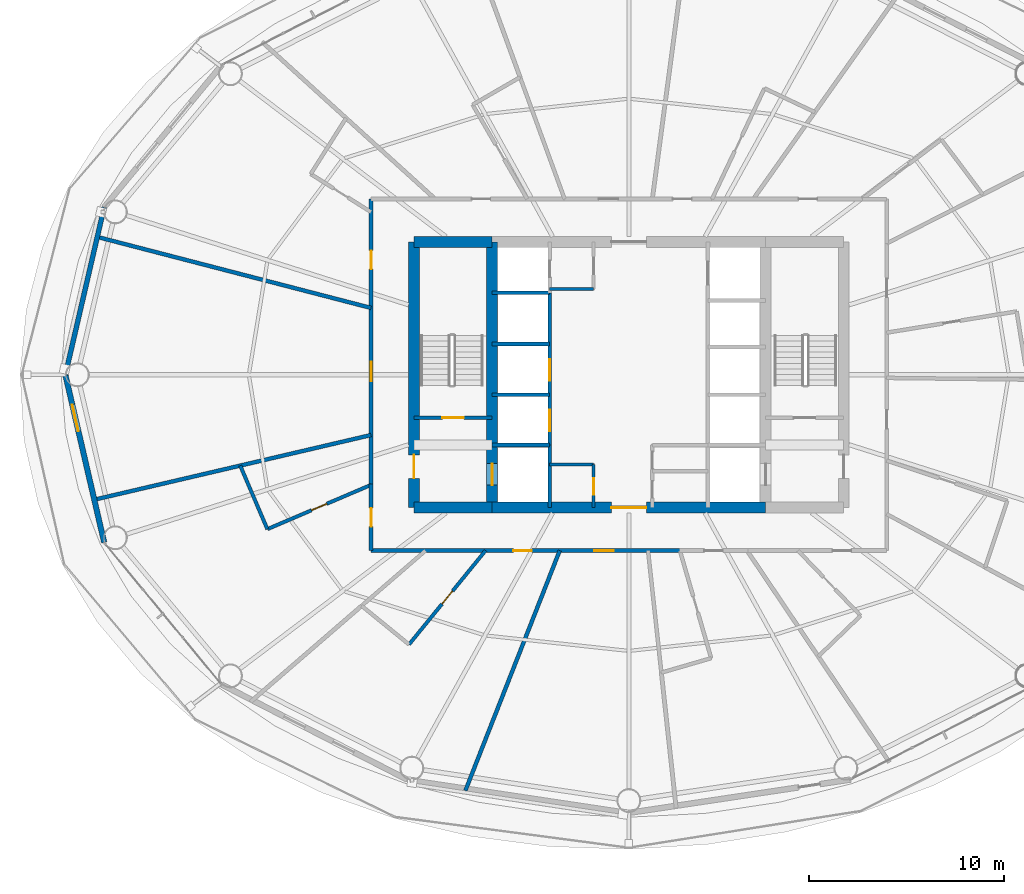
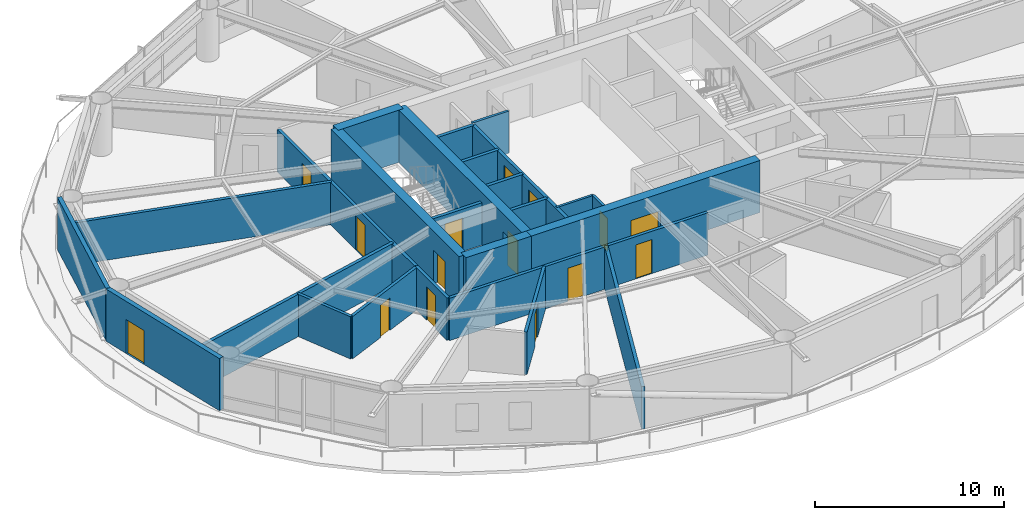
# One storey, part 18 of 24: 26 walls, 15 doors, 15 openings.
"""IFC4 building model written with IfcOpenShell, lengths in metres."""

import ifcopenshell
import ifcopenshell.guid

model = None  # the IFC model being written
_history = None  # IfcOwnerHistory: only IFC2X3 demands one
_inside = {}  # id of a spatial element -> (the spatial element, [elements in it])
_under = {}  # id of a project, library or spatial element -> (it, [spatial elements below it])
_declared = {}  # id of a project -> (the project, [libraries it declares])
_typed = {}  # id of a type object -> (the type object, [elements of that type])
_made_of = {}  # id of a material, layer set ... -> (it, [elements and type objects made of it])


def new_model(schema):
    """Start an empty IFC model of exactly this schema.

    Asked for "IFC4X3", IfcOpenShell would pick the latest addendum, in which some entities
    have other attributes; the version numbers below select the first issue.
    IFC2X3 requires an IfcOwnerHistory on every rooted entity: one is made here for all.
    """
    global model, _history
    if schema == "IFC4X3":
        model = ifcopenshell.file(schema_version=(4, 3, 0, 0))
    else:
        model = ifcopenshell.file(schema=schema)
    _inside.clear()
    _under.clear()
    _declared.clear()
    _typed.clear()
    _made_of.clear()
    _history = None
    if model.schema == "IFC2X3":
        org = make("IfcOrganization", Name="unknown")
        user = make(
            "IfcPersonAndOrganization",
            ThePerson=make("IfcPerson", FamilyName="unknown"),
            TheOrganization=org,
        )
        app = make(
            "IfcApplication",
            ApplicationDeveloper=org,
            Version="unknown",
            ApplicationFullName="unknown",
            ApplicationIdentifier="unknown",
        )
        _history = make(
            "IfcOwnerHistory",
            OwningUser=user,
            OwningApplication=app,
            ChangeAction="ADDED",
            CreationDate=0,
        )
    return model


def make(cls, **values):
    """One entity of the class cls with the attributes given. An attribute that is None is left unset."""
    return model.create_entity(
        cls, **{name: value for name, value in values.items() if value is not None}
    )


def rooted(cls, **values):
    """An entity with a GlobalId (a new one), such as an element, a storey or a relation."""
    return make(cls, GlobalId=ifcopenshell.guid.new(), OwnerHistory=_history, **values)


def si_unit(unit_type, name, prefix=None):
    """IfcSIUnit, for example si_unit("LENGTHUNIT", "METRE", prefix="MILLI")."""
    return make("IfcSIUnit", UnitType=unit_type, Prefix=prefix, Name=name)


def assignment(units):
    """IfcUnitAssignment: the units of a project."""
    return None if units is None else make("IfcUnitAssignment", Units=units)


def point(xyz):
    """IfcCartesianPoint."""
    return None if xyz is None else make("IfcCartesianPoint", Coordinates=xyz)


def direction(xyz):
    """IfcDirection."""
    return None if xyz is None else make("IfcDirection", DirectionRatios=xyz)


def frame(location, z_axis=None, x_axis=None):
    """IfcAxis2Placement3D, a coordinate frame: its origin and axes. An axis left out is left unset."""
    return make(
        "IfcAxis2Placement3D",
        Location=point(location),
        Axis=direction(z_axis),
        RefDirection=direction(x_axis),
    )


def frame_2d(location, x_axis=None):
    """IfcAxis2Placement2D, a coordinate frame in the plane: its origin and x axis."""
    return make(
        "IfcAxis2Placement2D", Location=point(location), RefDirection=direction(x_axis)
    )


def origin():
    """The frame at (0, 0, 0) with its axes left unset."""
    return frame((0.0, 0.0, 0.0))


def place(relative_to, where):
    """IfcLocalPlacement: puts the frame where relative to a parent placement (None: the world)."""
    return make(
        "IfcLocalPlacement", PlacementRelTo=relative_to, RelativePlacement=where
    )


def context(
    kind, dimensions, precision=None, world=None, true_north=None, identifier=None
):
    """IfcGeometricRepresentationContext, for example the 3D "Model" context."""
    return make(
        "IfcGeometricRepresentationContext",
        ContextIdentifier=identifier,
        ContextType=kind,
        CoordinateSpaceDimension=dimensions,
        Precision=precision,
        WorldCoordinateSystem=world,
        TrueNorth=true_north,
    )


def subcontext(parent, identifier, kind, view, scale=None):
    """IfcGeometricRepresentationSubContext, for example "Body" below "Model"."""
    return make(
        "IfcGeometricRepresentationSubContext",
        ContextIdentifier=identifier,
        ContextType=kind,
        ParentContext=parent,
        TargetScale=scale,
        TargetView=view,
    )


def project(units=None, contexts=None):
    """IfcProject with its units and contexts."""
    return rooted(
        "IfcProject",
        Name="project",
        RepresentationContexts=contexts,
        UnitsInContext=assignment(units),
    )


def spatial(cls, under=None, at=None, **own):
    """A site, building, storey or space (cls), placed at a placement, below another one or the project."""
    s = rooted(cls, ObjectPlacement=at, **own)
    if under is not None:
        _under.setdefault(under.id(), (under, []))[1].append(s)
    return s


def profile(cls, at=None, kind="AREA", **sizes):
    """A parametric profile (cls). Its sizes go by their IFC names, for example OverallWidth=200.0."""
    return make(cls, ProfileType=kind, Position=at, **sizes)


def rectangle(**sizes):
    """IfcRectangleProfileDef."""
    return profile("IfcRectangleProfileDef", **sizes)


def extrude(swept, where, along, depth):
    """IfcExtrudedAreaSolid: the profile swept, set in the frame where, extruded along a direction by depth."""
    return make(
        "IfcExtrudedAreaSolid",
        SweptArea=swept,
        Position=where,
        ExtrudedDirection=direction(along),
        Depth=depth,
    )


def shape(context_of_items, identifier, shape_type, items):
    """IfcShapeRepresentation: the items that make up one representation, for example the "Body"."""
    return make(
        "IfcShapeRepresentation",
        ContextOfItems=context_of_items,
        RepresentationIdentifier=identifier,
        RepresentationType=shape_type,
        Items=items,
    )


def material(Name=None, Category=None):
    """IfcMaterial."""
    return make("IfcMaterial", Name=Name, Category=Category)


def layer(
    of_material, thickness, ventilated=None, Name=None, Category=None, Priority=None
):
    """IfcMaterialLayer: one layer of a wall or slab, of a material (None: an air gap)."""
    return make(
        "IfcMaterialLayer",
        Material=of_material,
        LayerThickness=thickness,
        IsVentilated=ventilated,
        Name=Name,
        Category=Category,
        Priority=Priority,
    )


def layer_set(layers, Name=None):
    """IfcMaterialLayerSet."""
    return make("IfcMaterialLayerSet", MaterialLayers=layers, LayerSetName=Name)


def made_of(thing, what):
    """Note that an element or type object is made of a material, layer set ...; save() writes the relation."""
    if what is not None:
        _made_of.setdefault(what.id(), (what, []))[1].append(thing)
    return thing


def type_object(cls, material=None, **own):
    """A type object (cls), such as IfcWallType, which elements share."""
    return made_of(rooted(cls, **own), material)


def element(
    cls,
    number,
    at=None,
    inside=None,
    cuts=None,
    type_object=None,
    material=None,
    context=None,
    identifier="Body",
    shape_type=None,
    held_by="IfcProductDefinitionShape",
    body=None,
    shapes=None,
    **own,
):
    """One element of the class cls, such as IfcWall. Its Tag is "e" and its number.

    at: its placement. inside: the storey or other place that contains it. cuts: it is an
    opening in that element (IfcRelVoidsElement). A single representation is given by context,
    identifier, shape_type and body (its items); several are given by shapes. held_by: the class
    of the entity that holds the representations. save() writes the other relations.
    """
    e = rooted(cls, Tag="e%d" % number, ObjectPlacement=at, **own)
    if body is not None:
        shapes = [shape(context, identifier, shape_type, body)]
    if shapes is not None:
        e.Representation = make(held_by, Representations=shapes)
    if inside is not None:
        _inside.setdefault(inside.id(), (inside, []))[1].append(e)
    if cuts is not None:
        rooted(
            "IfcRelVoidsElement", RelatingBuildingElement=cuts, RelatedOpeningElement=e
        )
    if type_object is not None:
        _typed.setdefault(type_object.id(), (type_object, []))[1].append(e)
    return made_of(e, material)


def fill(opening, filler):
    """IfcRelFillsElement: the door or window that sits in an opening."""
    return rooted(
        "IfcRelFillsElement",
        RelatingOpeningElement=opening,
        RelatedBuildingElement=filler,
    )


def aggregate(whole, parts):
    """IfcRelAggregates: a whole, such as a stair, and the parts it consists of."""
    return rooted("IfcRelAggregates", RelatingObject=whole, RelatedObjects=parts)


def save(model, path):
    """Write the relations noted so far, then the file.

    IfcRelAggregates (storeys below a building ...), IfcRelContainedInSpatialStructure (elements
    in a storey), IfcRelDefinesByType, IfcRelAssociatesMaterial and IfcRelDeclares: one each for
    every whole, place, type object, material and project.
    """
    for whole, parts in _under.values():
        aggregate(whole, parts)
    for where, things in _inside.values():
        rooted(
            "IfcRelContainedInSpatialStructure",
            RelatedElements=things,
            RelatingStructure=where,
        )
    for kind, things in _typed.values():
        rooted("IfcRelDefinesByType", RelatedObjects=things, RelatingType=kind)
    for what, things in _made_of.values():
        rooted("IfcRelAssociatesMaterial", RelatedObjects=things, RelatingMaterial=what)
    for by, libraries in _declared.values():
        rooted("IfcRelDeclares", RelatingContext=by, RelatedDefinitions=libraries)
    model.write(path)


model = new_model("IFC4")

# Units and contexts
model_context = context("Model", 3, precision=1e-05, world=origin(), true_north=direction((0.0, 1.0)))
body_context = subcontext(model_context, "Body", "Model", "MODEL_VIEW")
ifc_project = project(units=[si_unit("LENGTHUNIT", "METRE"), si_unit("AREAUNIT", "SQUARE_METRE"), si_unit("VOLUMEUNIT", "CUBIC_METRE"), si_unit("PLANEANGLEUNIT", "RADIAN"), si_unit("MASSUNIT", "GRAM", prefix="KILO")], contexts=[model_context])

# Site, building, storey
site_placement = place(None, origin())
site = spatial("IfcSite", under=ifc_project, at=site_placement, CompositionType="ELEMENT")
building_placement = place(site_placement, origin())
building = spatial("IfcBuilding", under=site, at=building_placement, Name="Sarneth Arch Tower", CompositionType="ELEMENT")
storey_placement = place(building_placement, frame((0.0, 0.0, 109.199951171875)))
storey = spatial("IfcBuildingStorey", under=building, at=storey_placement, Name="L27", CompositionType="ELEMENT", Elevation=109.199951171875)

# Wall
ifc_material_1 = material(Name="Concrete C60/75", Category="concrete")
ifc_layer_1 = layer(ifc_material_1, 0.550048828125)
ifc_layer_set_1 = layer_set([ifc_layer_1], Name="Concrete C60/75")
wall_type_1 = type_object("IfcWallType", Name="WALL-CORE-550", PredefinedType="SHEAR", material=ifc_layer_set_1)
wall_1_placement = place(storey_placement, frame((37.0, 35.199951171875, 0.0), z_axis=(0.0, 0.0, 1.0), x_axis=(1.0, 0.0, 0.0)))
element("IfcWall", 1, at=wall_1_placement, inside=storey, type_object=wall_type_1, Name="L27 Core shear wall S-W", PredefinedType="SHEAR", context=body_context, shape_type="SweptSolid", body=[
    extrude(rectangle(XDim=4.0, YDim=0.550048828125, at=frame_2d((2.0, 0.0))), origin(), (0.0, 0.0, 1.0), 3.380126953125),
])

# Wall, opening, door
wall_2_placement = place(storey_placement, frame((41.0, 35.199951171875, 0.0), z_axis=(0.0, 0.0, 1.0), x_axis=(1.0, 0.0, 0.0)))
wall_2 = element("IfcWall", 2, at=wall_2_placement, inside=storey, type_object=wall_type_1, Name="L27 Core shear wall S-M", PredefinedType="SHEAR", context=body_context, shape_type="SweptSolid", body=[
    extrude(rectangle(XDim=14.0, YDim=0.550048828125, at=frame_2d((7.0, 0.0))), origin(), (0.0, 0.0, 1.0), 3.380126953125),
])
opening_1_placement = place(wall_2_placement, frame((6.10009765625, 0.0, 0.0)))
opening_1 = element("IfcOpeningElement", 3, at=opening_1_placement, cuts=wall_2, Name="Opening FD-01", PredefinedType="OPENING", context=body_context, shape_type="SweptSolid", body=[
    extrude(rectangle(XDim=1.800048828125, YDim=2.25, at=frame_2d((0.89990234375, 1.125))), frame((0.0, 0.284912109375, 0.0), z_axis=(0.0, -1.0, 0.0), x_axis=(1.0, 0.0, 0.0)), (0.0, 0.0, 1.0), 0.570068359375),
])
ifc_material_2 = material(Name="Galvanised Steel S275 fire door set", Category="steel")
door_type_1 = type_object("IfcDoorType", Name="DR-FD90-1800", OperationType="DOUBLE_DOOR_SINGLE_SWING", PredefinedType="DOOR", material=ifc_material_2)
door_1_placement = place(opening_1_placement, origin())
door_1 = element("IfcDoor", 4, at=door_1_placement, inside=storey, type_object=door_type_1, Name="L27 Central lift lobby south door", OperationType="DOUBLE_DOOR_SINGLE_SWING", OverallHeight=2.25, OverallWidth=1.800048828125, PredefinedType="DOOR", context=body_context, shape_type="SweptSolid", body=[
    extrude(rectangle(XDim=1.800048828125, YDim=2.25, at=frame_2d((0.89990234375, 1.125))), frame((0.0, 0.02490234375, 0.0), z_axis=(0.0, -1.0, 0.0), x_axis=(1.0, 0.0, 0.0)), (0.0, 0.0, 1.0), 0.050048828125),
])
fill(opening_1, door_1)

# Wall
wall_3_placement = place(storey_placement, frame((37.0, 48.800048828125, 0.0), z_axis=(0.0, 0.0, 1.0), x_axis=(1.0, 0.0, 0.0)))
element("IfcWall", 5, at=wall_3_placement, inside=storey, type_object=wall_type_1, Name="L27 Core shear wall N-W", PredefinedType="SHEAR", context=body_context, shape_type="SweptSolid", body=[
    extrude(rectangle(XDim=4.0, YDim=0.550048828125, at=frame_2d((2.0, 0.0))), origin(), (0.0, 0.0, 1.0), 3.380126953125),
])

# Wall, opening, door
wall_4_placement = place(storey_placement, frame((37.0, 35.199951171875, 0.0), z_axis=(0.0, 0.0, 1.0), x_axis=(0.0, 1.0, 0.0)))
wall_4 = element("IfcWall", 6, at=wall_4_placement, inside=storey, type_object=wall_type_1, Name="L27 Core shear wall W", PredefinedType="SHEAR", context=body_context, shape_type="SweptSolid", body=[
    extrude(rectangle(XDim=13.60009765625, YDim=0.550048828125, at=frame_2d((6.800048828125, 0.0))), origin(), (0.0, 0.0, 1.0), 3.380126953125),
])
opening_2_placement = place(wall_4_placement, frame((1.5, 0.0, 0.0)))
opening_2 = element("IfcOpeningElement", 7, at=opening_2_placement, cuts=wall_4, Name="Opening FD-02", PredefinedType="OPENING", context=body_context, shape_type="SweptSolid", body=[
    extrude(rectangle(XDim=1.199951171875, YDim=2.14990234375, at=frame_2d((0.60009765625, 1.074951171875))), frame((0.0, 0.284912109375, 0.0), z_axis=(0.0, -1.0, 0.0), x_axis=(1.0, 0.0, 0.0)), (0.0, 0.0, 1.0), 0.570068359375),
])
ifc_material_3 = material(Name="Galvanised Steel S275 fire door set", Category="steel")
door_type_2 = type_object("IfcDoorType", Name="DR-FD90-1200", OperationType="SINGLE_SWING_LEFT", PredefinedType="DOOR", material=ifc_material_3)
door_2_placement = place(opening_2_placement, origin())
door_2 = element("IfcDoor", 8, at=door_2_placement, inside=storey, type_object=door_type_2, Name="L27 Firefighting lobby 1 exit door", OperationType="SINGLE_SWING_LEFT", OverallHeight=2.14990234375, OverallWidth=1.199951171875, PredefinedType="DOOR", context=body_context, shape_type="SweptSolid", body=[
    extrude(rectangle(XDim=1.199951171875, YDim=2.14990234375, at=frame_2d((0.60009765625, 1.074951171875))), frame((0.0, 0.02490234375, 0.0), z_axis=(0.0, -1.0, 0.0), x_axis=(1.0, 0.0, 0.0)), (0.0, 0.0, 1.0), 0.050048828125),
])
fill(opening_2, door_2)

wall_5_placement = place(storey_placement, frame((41.0, 35.199951171875, 0.0), z_axis=(0.0, 0.0, 1.0), x_axis=(0.0, 1.0, 0.0)))
wall_5 = element("IfcWall", 9, at=wall_5_placement, inside=storey, type_object=wall_type_1, Name="L27 Core shear wall WEB-W", PredefinedType="SHEAR", context=body_context, shape_type="SweptSolid", body=[
    extrude(rectangle(XDim=13.60009765625, YDim=0.550048828125, at=frame_2d((6.800048828125, 0.0))), origin(), (0.0, 0.0, 1.0), 3.380126953125),
])
opening_3_placement = place(wall_5_placement, frame((1.14990234375, 0.0, 0.0)))
opening_3 = element("IfcOpeningElement", 10, at=opening_3_placement, cuts=wall_5, Name="Opening LD-1", PredefinedType="OPENING", context=body_context, shape_type="SweptSolid", body=[
    extrude(rectangle(XDim=1.10009765625, YDim=2.199951171875, at=frame_2d((0.550048828125, 1.10009765625))), frame((0.0, 0.284912109375, 0.0), z_axis=(0.0, -1.0, 0.0), x_axis=(1.0, 0.0, 0.0)), (0.0, 0.0, 1.0), 0.570068359375),
])
ifc_material_4 = material(Name="Brushed Stainless Steel 304 lift landing door", Category="steel")
door_type_3 = type_object("IfcDoorType", Name="DR-LIFT-SLIDE-1100", OperationType="SLIDING_TO_LEFT", PredefinedType="DOOR", material=ifc_material_4)
door_3_placement = place(opening_3_placement, origin())
door_3 = element("IfcDoor", 11, at=door_3_placement, inside=storey, type_object=door_type_3, Name="L27 Firefighting lift landing door FL-1", OperationType="SLIDING_TO_LEFT", OverallHeight=2.199951171875, OverallWidth=1.10009765625, PredefinedType="DOOR", context=body_context, shape_type="SweptSolid", body=[
    extrude(rectangle(XDim=1.10009765625, YDim=2.199951171875, at=frame_2d((0.550048828125, 1.10009765625))), frame((0.0, 0.02490234375, 0.0), z_axis=(0.0, -1.0, 0.0), x_axis=(1.0, 0.0, 0.0)), (0.0, 0.0, 1.0), 0.050048828125),
])
fill(opening_3, door_3)

# Wall, openings, doors
ifc_material_5 = material(Name="Double steel-stud corridor fire wall", Category="steel")
ifc_layer_2 = layer(ifc_material_5, 0.18994140625)
ifc_layer_set_2 = layer_set([ifc_layer_2], Name="Double steel-stud corridor fire wall")
wall_type_2 = type_object("IfcWallType", Name="WALL-CORR-190", PredefinedType="PARTITIONING", material=ifc_layer_set_2)
wall_6_placement = place(storey_placement, frame((34.800048828125, 36.32861328125, 0.0), z_axis=(0.0, 0.0, 1.0), x_axis=(0.0, 1.0, 0.0)))
wall_6 = element("IfcWall", 12, at=wall_6_placement, inside=storey, type_object=wall_type_2, Name="L27 Interior partition W-L27-TP-012", PredefinedType="PARTITIONING", context=body_context, shape_type="SweptSolid", body=[
    extrude(rectangle(XDim=14.67138671875, YDim=0.18994140625, at=frame_2d((7.335693359375, 0.0))), origin(), (0.0, 0.0, 1.0), 2.739990234375),
])
opening_4_placement = place(wall_6_placement, frame((5.3408203125, 0.0, 0.0)))
opening_4 = element("IfcOpeningElement", 13, at=opening_4_placement, cuts=wall_6, Name="Opening FD-08", PredefinedType="OPENING", context=body_context, shape_type="SweptSolid", body=[
    extrude(rectangle(XDim=1.0, YDim=2.199951171875, at=frame_2d((0.5, 1.10009765625))), frame((0.0, 0.10498046875, 0.0), z_axis=(0.0, -1.0, 0.0), x_axis=(1.0, 0.0, 0.0)), (0.0, 0.0, 1.0), 0.2099609375),
])
opening_5_placement = place(wall_6_placement, frame((11.076416015625, 0.0, 0.0)))
opening_5 = element("IfcOpeningElement", 14, at=opening_5_placement, cuts=wall_6, Name="Opening FD-09", PredefinedType="OPENING", context=body_context, shape_type="SweptSolid", body=[
    extrude(rectangle(XDim=0.949951171875, YDim=2.14990234375, at=frame_2d((0.47509765625, 1.074951171875))), frame((0.0, 0.10498046875, 0.0), z_axis=(0.0, -1.0, 0.0), x_axis=(1.0, 0.0, 0.0)), (0.0, 0.0, 1.0), 0.2099609375),
])
ifc_material_6 = material(Name="Hardwood timber acoustic fire door", Category="wood")
door_type_4 = type_object("IfcDoorType", Name="DR-FD60-1000", OperationType="SINGLE_SWING_LEFT", PredefinedType="DOOR", material=ifc_material_6)
door_4_placement = place(opening_4_placement, origin())
door_4 = element("IfcDoor", 15, at=door_4_placement, inside=storey, type_object=door_type_4, Name="L27 Interior door DR-L27-AMN-06", OperationType="SINGLE_SWING_RIGHT", OverallHeight=2.199951171875, OverallWidth=1.0, PredefinedType="DOOR", context=body_context, shape_type="SweptSolid", body=[
    extrude(rectangle(XDim=1.0, YDim=2.199951171875, at=frame_2d((0.5, 1.10009765625))), frame((0.0, 0.02490234375, 0.0), z_axis=(0.0, -1.0, 0.0), x_axis=(1.0, 0.0, 0.0)), (0.0, 0.0, 1.0), 0.050048828125),
])
fill(opening_4, door_4)
ifc_material_7 = material(Name="Hardwood timber hotel entrance fire door", Category="wood")
door_type_5 = type_object("IfcDoorType", Name="DR-FD60-950", OperationType="SINGLE_SWING_RIGHT", PredefinedType="DOOR", material=ifc_material_7)
door_5_placement = place(opening_5_placement, origin())
door_5 = element("IfcDoor", 16, at=door_5_placement, inside=storey, type_object=door_type_5, Name="L27 Interior door DR-L27-KEY-05", OperationType="SINGLE_SWING_LEFT", OverallHeight=2.14990234375, OverallWidth=0.949951171875, PredefinedType="DOOR", context=body_context, shape_type="SweptSolid", body=[
    extrude(rectangle(XDim=0.949951171875, YDim=2.14990234375, at=frame_2d((0.47509765625, 1.074951171875))), frame((0.0, 0.02490234375, 0.0), z_axis=(0.0, -1.0, 0.0), x_axis=(1.0, 0.0, 0.0)), (0.0, 0.0, 1.0), 0.050048828125),
])
fill(opening_5, door_5)

wall_7_placement = place(storey_placement, frame((50.64794921875, 33.0, 0.0), z_axis=(0.0, 0.0, 1.0), x_axis=(-1.0, 0.0, 0.0)))
wall_7 = element("IfcWall", 17, at=wall_7_placement, inside=storey, type_object=wall_type_2, Name="L27 Interior partition W-L27-TP-018", PredefinedType="PARTITIONING", context=body_context, shape_type="SweptSolid", body=[
    extrude(rectangle(XDim=15.847900390625, YDim=0.18994140625, at=frame_2d((7.923828125, 0.0))), origin(), (0.0, 0.0, 1.0), 2.739990234375),
])
opening_6_placement = place(wall_7_placement, frame((3.427001953125, 0.0, 0.0)))
opening_6 = element("IfcOpeningElement", 18, at=opening_6_placement, cuts=wall_7, Name="Opening FD-08", PredefinedType="OPENING", context=body_context, shape_type="SweptSolid", body=[
    extrude(rectangle(XDim=1.0, YDim=2.199951171875, at=frame_2d((0.5, 1.10009765625))), frame((0.0, 0.10498046875, 0.0), z_axis=(0.0, -1.0, 0.0), x_axis=(1.0, 0.0, 0.0)), (0.0, 0.0, 1.0), 0.2099609375),
])
opening_7_placement = place(wall_7_placement, frame((7.613525390625, 0.0, 0.0)))
opening_7 = element("IfcOpeningElement", 19, at=opening_7_placement, cuts=wall_7, Name="Opening FD-09", PredefinedType="OPENING", context=body_context, shape_type="SweptSolid", body=[
    extrude(rectangle(XDim=0.949951171875, YDim=2.14990234375, at=frame_2d((0.47509765625, 1.074951171875))), frame((0.0, 0.10498046875, 0.0), z_axis=(0.0, -1.0, 0.0), x_axis=(1.0, 0.0, 0.0)), (0.0, 0.0, 1.0), 0.2099609375),
])
door_6_placement = place(opening_6_placement, origin())
door_6 = element("IfcDoor", 20, at=door_6_placement, inside=storey, type_object=door_type_4, Name="L27 Interior door DR-L27-AMN-09", OperationType="SINGLE_SWING_RIGHT", OverallHeight=2.199951171875, OverallWidth=1.0, PredefinedType="DOOR", context=body_context, shape_type="SweptSolid", body=[
    extrude(rectangle(XDim=1.0, YDim=2.199951171875, at=frame_2d((0.5, 1.10009765625))), frame((0.0, 0.02490234375, 0.0), z_axis=(0.0, -1.0, 0.0), x_axis=(1.0, 0.0, 0.0)), (0.0, 0.0, 1.0), 0.050048828125),
])
fill(opening_6, door_6)
door_7_placement = place(opening_7_placement, origin())
door_7 = element("IfcDoor", 21, at=door_7_placement, inside=storey, type_object=door_type_5, Name="L27 Interior door DR-L27-KEY-08", OperationType="SINGLE_SWING_RIGHT", OverallHeight=2.14990234375, OverallWidth=0.949951171875, PredefinedType="DOOR", context=body_context, shape_type="SweptSolid", body=[
    extrude(rectangle(XDim=0.949951171875, YDim=2.14990234375, at=frame_2d((0.47509765625, 1.074951171875))), frame((0.0, 0.02490234375, 0.0), z_axis=(0.0, -1.0, 0.0), x_axis=(1.0, 0.0, 0.0)), (0.0, 0.0, 1.0), 0.050048828125),
])
fill(opening_7, door_7)

# Wall, opening, door
wall_8_placement = place(storey_placement, frame((34.800048828125, 33.0, 0.0), z_axis=(0.0, 0.0, 1.0), x_axis=(0.0, 1.0, 0.0)))
wall_8 = element("IfcWall", 22, at=wall_8_placement, inside=storey, type_object=wall_type_2, Name="L27 Interior partition W-L27-TP-014", PredefinedType="PARTITIONING", context=body_context, shape_type="SweptSolid", body=[
    extrude(rectangle(XDim=3.398193359375, YDim=0.18994140625, at=frame_2d((1.69921875, 0.0))), origin(), (0.0, 0.0, 1.0), 2.739990234375),
])
opening_8_placement = place(wall_8_placement, frame((1.22412109375, 0.0, 0.0)))
opening_8 = element("IfcOpeningElement", 23, at=opening_8_placement, cuts=wall_8, Name="Opening FD-09", PredefinedType="OPENING", context=body_context, shape_type="SweptSolid", body=[
    extrude(rectangle(XDim=0.949951171875, YDim=2.14990234375, at=frame_2d((0.47509765625, 1.074951171875))), frame((0.0, 0.10498046875, 0.0), z_axis=(0.0, -1.0, 0.0), x_axis=(1.0, 0.0, 0.0)), (0.0, 0.0, 1.0), 0.2099609375),
])
door_8_placement = place(opening_8_placement, origin())
door_8 = element("IfcDoor", 24, at=door_8_placement, inside=storey, type_object=door_type_5, Name="L27 Interior door DR-L27-KEY-07", OperationType="SINGLE_SWING_LEFT", OverallHeight=2.14990234375, OverallWidth=0.949951171875, PredefinedType="DOOR", context=body_context, shape_type="SweptSolid", body=[
    extrude(rectangle(XDim=0.949951171875, YDim=2.14990234375, at=frame_2d((0.47509765625, 1.074951171875))), frame((0.0, 0.02490234375, 0.0), z_axis=(0.0, -1.0, 0.0), x_axis=(1.0, 0.0, 0.0)), (0.0, 0.0, 1.0), 0.050048828125),
])
fill(opening_8, door_8)

# Wall
ifc_material_8 = material(Name="Extruded terracotta rainscreen on Concrete C40/50 backing", Category="masonry")
ifc_layer_3 = layer(ifc_material_8, 0.25)
ifc_layer_set_3 = layer_set([ifc_layer_3], Name="Extruded terracotta rainscreen on Concrete C40/50 backing")
wall_type_3 = type_object("IfcWallType", Name="WALL-EXT-SPAND-250", PredefinedType="SOLIDWALL", material=ifc_layer_set_3)
wall_9_placement = place(storey_placement, frame((21.138671875, 50.58349609375, 0.0), z_axis=(0.0, 0.0, 1.0), x_axis=(-0.22558597182, -0.974223264616, 0.0)))
element("IfcWall", 25, at=wall_9_placement, inside=storey, type_object=wall_type_3, Name="L27 Terracotta perimeter wall 08", PredefinedType="SOLIDWALL", context=body_context, shape_type="SweptSolid", body=[
    extrude(rectangle(XDim=8.810546875, YDim=0.25, at=frame_2d((4.4052734375, 0.0))), origin(), (0.0, 0.0, 1.0), 3.380126953125),
])

# Wall, opening, door
ifc_material_9 = material(Name="Extruded terracotta rainscreen on Concrete C40/50 backing", Category="masonry")
ifc_layer_4 = layer(ifc_material_9, 0.280029296875)
ifc_layer_set_4 = layer_set([ifc_layer_4], Name="Extruded terracotta rainscreen on Concrete C40/50 backing")
wall_type_4 = type_object("IfcWallType", Name="WALL-EXT-TERRA-280", PredefinedType="SOLIDWALL", material=ifc_layer_set_4)
wall_10_placement = place(storey_placement, frame((19.151123046875, 42.0, 0.0), z_axis=(0.0, 0.0, 1.0), x_axis=(0.22558597182, -0.974223264616, 0.0)))
wall_10 = element("IfcWall", 26, at=wall_10_placement, inside=storey, type_object=wall_type_4, Name="L27 Terracotta perimeter wall 09", PredefinedType="SOLIDWALL", context=body_context, shape_type="SweptSolid", body=[
    extrude(rectangle(XDim=8.810546875, YDim=0.280029296875, at=frame_2d((4.4052734375, 0.0))), origin(), (0.0, 0.0, 1.0), 3.380126953125),
])
opening_9_placement = place(wall_10_placement, frame((1.568115234375, 0.0, 0.0)))
opening_9 = element("IfcOpeningElement", 27, at=opening_9_placement, cuts=wall_10, Name="Opening BD-2", PredefinedType="OPENING", context=body_context, shape_type="SweptSolid", body=[
    extrude(rectangle(XDim=1.39990234375, YDim=2.199951171875, at=frame_2d((0.699951171875, 1.10009765625))), frame((0.0, 0.14990234375, 0.0), z_axis=(0.0, -1.0, 0.0), x_axis=(1.0, 0.0, 0.0)), (0.0, 0.0, 1.0), 0.300048828125),
])
ifc_material_10 = material(Name="Thermally broken Aluminium 6063-T6 and laminated safety glass", Category="aluminium")
door_type_6 = type_object("IfcDoorType", Name="DR-BALC-GLZ-1400", OperationType="SINGLE_SWING_LEFT", PredefinedType="DOOR", material=ifc_material_10)
door_9_placement = place(opening_9_placement, origin())
door_9 = element("IfcDoor", 28, at=door_9_placement, inside=storey, type_object=door_type_6, Name="L27 Balcony glazed door 09", OperationType="SINGLE_SWING_LEFT", OverallHeight=2.199951171875, OverallWidth=1.39990234375, PredefinedType="DOOR", context=body_context, shape_type="SweptSolid", body=[
    extrude(rectangle(XDim=1.39990234375, YDim=2.199951171875, at=frame_2d((0.699951171875, 1.10009765625))), frame((0.0, 0.02490234375, 0.0), z_axis=(0.0, -1.0, 0.0), x_axis=(1.0, 0.0, 0.0)), (0.0, 0.0, 1.0), 0.050048828125),
])
fill(opening_9, door_9)

# Wall
ifc_material_11 = material(Name="Acoustic gypsum stud partition", Category="gypsum")
ifc_layer_5 = layer(ifc_material_11, 0.14990234375)
ifc_layer_set_5 = layer_set([ifc_layer_5], Name="Acoustic gypsum stud partition")
wall_type_5 = type_object("IfcWallType", Name="WALL-PART-150", PredefinedType="PARTITIONING", material=ifc_layer_set_5)
wall_11_placement = place(storey_placement, frame((43.949951171875, 37.39990234375, 0.0), z_axis=(0.0, 0.0, 1.0), x_axis=(1.0, 0.0, 0.0)))
element("IfcWall", 29, at=wall_11_placement, inside=storey, type_object=wall_type_5, Name="L27 Interior partition W-L27-CSUP1-N", PredefinedType="PARTITIONING", context=body_context, shape_type="SweptSolid", body=[
    extrude(rectangle(XDim=2.25, YDim=0.14990234375, at=frame_2d((1.125, 0.0))), origin(), (0.0, 0.0, 1.0), 2.739990234375),
])

# Wall, opening, door
wall_12_placement = place(storey_placement, frame((46.199951171875, 35.199951171875, 0.0), z_axis=(0.0, 0.0, 1.0), x_axis=(0.0, 1.0, 0.0)))
wall_12 = element("IfcWall", 30, at=wall_12_placement, inside=storey, type_object=wall_type_5, Name="L27 Interior partition W-L27-CSUP1-E", PredefinedType="PARTITIONING", context=body_context, shape_type="SweptSolid", body=[
    extrude(rectangle(XDim=2.199951171875, YDim=0.14990234375, at=frame_2d((1.10009765625, 0.0))), origin(), (0.0, 0.0, 1.0), 2.739990234375),
])
opening_10_placement = place(wall_12_placement, frame((0.64990234375, 0.0, 0.0)))
opening_10 = element("IfcOpeningElement", 31, at=opening_10_placement, cuts=wall_12, Name="Opening FD-11", PredefinedType="OPENING", context=body_context, shape_type="SweptSolid", body=[
    extrude(rectangle(XDim=0.85009765625, YDim=2.14990234375, at=frame_2d((0.425048828125, 1.074951171875))), frame((0.0, 0.0849609375, 0.0), z_axis=(0.0, -1.0, 0.0), x_axis=(1.0, 0.0, 0.0)), (0.0, 0.0, 1.0), 0.169921875),
])
ifc_material_12 = material(Name="Galvanised Steel S275 closet fire door", Category="steel")
door_type_7 = type_object("IfcDoorType", Name="DR-FD60-850", OperationType="SINGLE_SWING_LEFT", PredefinedType="DOOR", material=ifc_material_12)
door_10_placement = place(opening_10_placement, origin())
door_10 = element("IfcDoor", 32, at=door_10_placement, inside=storey, type_object=door_type_7, Name="L27 Interior door DR-L27-CSUP1", OperationType="SINGLE_SWING_LEFT", OverallHeight=2.14990234375, OverallWidth=0.85009765625, PredefinedType="DOOR", context=body_context, shape_type="SweptSolid", body=[
    extrude(rectangle(XDim=0.85009765625, YDim=2.14990234375, at=frame_2d((0.425048828125, 1.074951171875))), frame((0.0, 0.02490234375, 0.0), z_axis=(0.0, -1.0, 0.0), x_axis=(1.0, 0.0, 0.0)), (0.0, 0.0, 1.0), 0.050048828125),
])
fill(opening_10, door_10)

# Wall
wall_13_placement = place(storey_placement, frame((43.949951171875, 46.39990234375, 0.0), z_axis=(0.0, 0.0, 1.0), x_axis=(1.0, 0.0, 0.0)))
element("IfcWall", 33, at=wall_13_placement, inside=storey, type_object=wall_type_5, Name="L27 Interior partition W-L27-CSUP2-S", PredefinedType="PARTITIONING", context=body_context, shape_type="SweptSolid", body=[
    extrude(rectangle(XDim=2.25, YDim=0.14990234375, at=frame_2d((1.125, 0.0))), origin(), (0.0, 0.0, 1.0), 2.739990234375),
])

# Wall, opening, door
ifc_material_13 = material(Name="Moisture-resistant plumbing chase wall", Category="gypsum")
ifc_layer_6 = layer(ifc_material_13, 0.179931640625)
ifc_layer_set_6 = layer_set([ifc_layer_6], Name="Moisture-resistant plumbing chase wall")
wall_type_6 = type_object("IfcWallType", Name="WALL-PLUMB-180", PredefinedType="PLUMBINGWALL", material=ifc_layer_set_6)
wall_14_placement = place(storey_placement, frame((40.663818359375, 33.0, 0.0), z_axis=(0.0, 0.0, 1.0), x_axis=(-0.631841179317, -0.775097880347, 0.0)))
wall_14 = element("IfcWall", 34, at=wall_14_placement, inside=storey, type_object=wall_type_6, Name="L27 Interior partition W-L27-TP-052", PredefinedType="PLUMBINGWALL", context=body_context, shape_type="SweptSolid", body=[
    extrude(rectangle(XDim=6.20166015625, YDim=0.179931640625, at=frame_2d((3.100830078125, 0.0))), origin(), (0.0, 0.0, 1.0), 2.739990234375),
])
opening_11_placement = place(wall_14_placement, frame((2.67578125, 0.0, 0.0)))
opening_11 = element("IfcOpeningElement", 35, at=opening_11_placement, cuts=wall_14, Name="Opening ID-02", PredefinedType="OPENING", context=body_context, shape_type="SweptSolid", body=[
    extrude(rectangle(XDim=0.85009765625, YDim=2.10009765625, at=frame_2d((0.425048828125, 1.050048828125))), frame((0.0, 0.099853515625, 0.0), z_axis=(0.0, -1.0, 0.0), x_axis=(1.0, 0.0, 0.0)), (0.0, 0.0, 1.0), 0.199951171875),
])
ifc_material_14 = material(Name="Moisture-resistant bathroom timber door", Category="wood")
door_type_8 = type_object("IfcDoorType", Name="DR-INT-850", OperationType="SINGLE_SWING_RIGHT", PredefinedType="DOOR", material=ifc_material_14)
door_11_placement = place(opening_11_placement, origin())
door_11 = element("IfcDoor", 36, at=door_11_placement, inside=storey, type_object=door_type_8, Name="L27 Interior door DR-L27-ENS-08", OperationType="SINGLE_SWING_RIGHT", OverallHeight=2.10009765625, OverallWidth=0.85009765625, PredefinedType="DOOR", context=body_context, shape_type="SweptSolid", body=[
    extrude(rectangle(XDim=0.85009765625, YDim=2.10009765625, at=frame_2d((0.425048828125, 1.050048828125))), frame((0.0, 0.02490234375, 0.0), z_axis=(0.0, -1.0, 0.0), x_axis=(1.0, 0.0, 0.0)), (0.0, 0.0, 1.0), 0.050048828125),
])
fill(opening_11, door_11)

wall_15_placement = place(storey_placement, frame((29.492919921875, 34.097412109375, 0.0), z_axis=(0.0, 0.0, 1.0), x_axis=(0.919684682014, 0.392657720755, 0.0)))
wall_15 = element("IfcWall", 37, at=wall_15_placement, inside=storey, type_object=wall_type_6, Name="L27 Interior partition W-L27-TP-049", PredefinedType="PLUMBINGWALL", context=body_context, shape_type="SweptSolid", body=[
    extrude(rectangle(XDim=5.7705078125, YDim=0.179931640625, at=frame_2d((2.88525390625, 0.0))), origin(), (0.0, 0.0, 1.0), 2.739990234375),
])
opening_12_placement = place(wall_15_placement, frame((2.460205078125, 0.0, 0.0)))
opening_12 = element("IfcOpeningElement", 38, at=opening_12_placement, cuts=wall_15, Name="Opening ID-02", PredefinedType="OPENING", context=body_context, shape_type="SweptSolid", body=[
    extrude(rectangle(XDim=0.85009765625, YDim=2.10009765625, at=frame_2d((0.425048828125, 1.050048828125))), frame((0.0, 0.099853515625, 0.0), z_axis=(0.0, -1.0, 0.0), x_axis=(1.0, 0.0, 0.0)), (0.0, 0.0, 1.0), 0.199951171875),
])
door_12_placement = place(opening_12_placement, origin())
door_12 = element("IfcDoor", 39, at=door_12_placement, inside=storey, type_object=door_type_8, Name="L27 Interior door DR-L27-ENS-07", OperationType="SINGLE_SWING_RIGHT", OverallHeight=2.10009765625, OverallWidth=0.85009765625, PredefinedType="DOOR", context=body_context, shape_type="SweptSolid", body=[
    extrude(rectangle(XDim=0.85009765625, YDim=2.10009765625, at=frame_2d((0.425048828125, 1.050048828125))), frame((0.0, 0.02490234375, 0.0), z_axis=(0.0, -1.0, 0.0), x_axis=(1.0, 0.0, 0.0)), (0.0, 0.0, 1.0), 0.050048828125),
])
fill(opening_12, door_12)

# Wall
wall_16_placement = place(storey_placement, frame((28.10400390625, 37.350341796875, 0.0), z_axis=(0.0, 0.0, 1.0), x_axis=(0.392677696951, -0.919676152957, 0.0)))
element("IfcWall", 40, at=wall_16_placement, inside=storey, type_object=wall_type_6, Name="L27 Interior partition W-L27-TP-048", PredefinedType="PLUMBINGWALL", context=body_context, shape_type="SweptSolid", body=[
    extrude(rectangle(XDim=3.537109375, YDim=0.179931640625, at=frame_2d((1.7685546875, 0.0))), origin(), (0.0, 0.0, 1.0), 2.739990234375),
])

# Wall, opening, door
ifc_material_15 = material(Name="Aerated concrete blockwork C25/30", Category="masonry")
ifc_layer_7 = layer(ifc_material_15, 0.199951171875)
ifc_layer_set_7 = layer_set([ifc_layer_7], Name="Aerated concrete blockwork C25/30")
wall_type_7 = type_object("IfcWallType", Name="WALL-SHAFT-200", PredefinedType="SOLIDWALL", material=ifc_layer_set_7)
wall_17_placement = place(storey_placement, frame((37.0, 39.800048828125, 0.0), z_axis=(0.0, 0.0, 1.0), x_axis=(1.0, 0.0, 0.0)))
wall_17 = element("IfcWall", 41, at=wall_17_placement, inside=storey, type_object=wall_type_7, Name="L27 Interior partition W-L27-ST1-S", PredefinedType="SOLIDWALL", context=body_context, shape_type="SweptSolid", body=[
    extrude(rectangle(XDim=4.0, YDim=0.199951171875, at=frame_2d((2.0, 0.0))), origin(), (0.0, 0.0, 1.0), 2.739990234375),
])
opening_13_placement = place(wall_17_placement, frame((1.449951171875, 0.0, 0.0)))
opening_13 = element("IfcOpeningElement", 42, at=opening_13_placement, cuts=wall_17, Name="Opening FD-03", PredefinedType="OPENING", context=body_context, shape_type="SweptSolid", body=[
    extrude(rectangle(XDim=1.10009765625, YDim=2.14990234375, at=frame_2d((0.550048828125, 1.074951171875))), frame((0.0, 0.10986328125, 0.0), z_axis=(0.0, -1.0, 0.0), x_axis=(1.0, 0.0, 0.0)), (0.0, 0.0, 1.0), 0.219970703125),
])
ifc_material_16 = material(Name="Galvanised Steel S275 fire door set", Category="steel")
door_type_9 = type_object("IfcDoorType", Name="DR-FD90-1100", OperationType="SINGLE_SWING_LEFT", PredefinedType="DOOR", material=ifc_material_16)
door_13_placement = place(opening_13_placement, origin())
door_13 = element("IfcDoor", 43, at=door_13_placement, inside=storey, type_object=door_type_9, Name="L27 Interior door DR-L27-ST1", OperationType="SINGLE_SWING_LEFT", OverallHeight=2.14990234375, OverallWidth=1.10009765625, PredefinedType="DOOR", context=body_context, shape_type="SweptSolid", body=[
    extrude(rectangle(XDim=1.10009765625, YDim=2.14990234375, at=frame_2d((0.550048828125, 1.074951171875))), frame((0.0, 0.02490234375, 0.0), z_axis=(0.0, -1.0, 0.0), x_axis=(1.0, 0.0, 0.0)), (0.0, 0.0, 1.0), 0.050048828125),
])
fill(opening_13, door_13)

# Walls
wall_18_placement = place(storey_placement, frame((43.949951171875, 35.199951171875, 0.0), z_axis=(0.0, 0.0, 1.0), x_axis=(0.0, 1.0, 0.0)))
element("IfcWall", 44, at=wall_18_placement, inside=storey, type_object=wall_type_7, Name="L27 Interior partition W-L27-FL1-E", PredefinedType="SOLIDWALL", context=body_context, shape_type="SweptSolid", body=[
    extrude(rectangle(XDim=3.199951171875, YDim=0.199951171875, at=frame_2d((1.60009765625, 0.0))), origin(), (0.0, 0.0, 1.0), 2.739990234375),
])
for number, where, z_axis, x_axis, name in (
    (45, (41.0, 38.39990234375, 0.0), (0.0, 0.0, 1.0), (1.0, 0.0, 0.0), "L27 Interior partition W-L27-FL1-N"),
    (46, (41.0, 46.199951171875, 0.0), (0.0, 0.0, 1.0), (1.0, 0.0, 0.0), "L27 Interior partition W-L27-RISER-S"),
):
    element("IfcWall", number, at=place(storey_placement, frame(where, z_axis=z_axis, x_axis=x_axis)), inside=storey, type_object=wall_type_7, Name=name, PredefinedType="SOLIDWALL", context=body_context, shape_type="SweptSolid", body=[
        extrude(rectangle(XDim=2.949951171875, YDim=0.199951171875, at=frame_2d((1.47509765625, 0.0))), origin(), (0.0, 0.0, 1.0), 2.739990234375),
    ])

# Wall, openings, doors
wall_19_placement = place(storey_placement, frame((43.949951171875, 38.39990234375, 0.0), z_axis=(0.0, 0.0, 1.0), x_axis=(0.0, 1.0, 0.0)))
wall_19 = element("IfcWall", 47, at=wall_19_placement, inside=storey, type_object=wall_type_7, Name="L27 Interior partition W-L27-WESTBANK-FRONT", PredefinedType="SOLIDWALL", context=body_context, shape_type="SweptSolid", body=[
    extrude(rectangle(XDim=7.800048828125, YDim=0.199951171875, at=frame_2d((3.89990234375, 0.0))), origin(), (0.0, 0.0, 1.0), 2.739990234375),
])
opening_14_placement = place(wall_19_placement, frame((0.699951171875, 0.0, 0.0)))
opening_14 = element("IfcOpeningElement", 48, at=opening_14_placement, cuts=wall_19, Name="Opening LD-1", PredefinedType="OPENING", context=body_context, shape_type="SweptSolid", body=[
    extrude(rectangle(XDim=1.10009765625, YDim=2.199951171875, at=frame_2d((0.550048828125, 1.10009765625))), frame((0.0, 0.10986328125, 0.0), z_axis=(0.0, -1.0, 0.0), x_axis=(1.0, 0.0, 0.0)), (0.0, 0.0, 1.0), 0.219970703125),
])
opening_15_placement = place(wall_19_placement, frame((3.300048828125, 0.0, 0.0)))
opening_15 = element("IfcOpeningElement", 49, at=opening_15_placement, cuts=wall_19, Name="Opening LD-1", PredefinedType="OPENING", context=body_context, shape_type="SweptSolid", body=[
    extrude(rectangle(XDim=1.10009765625, YDim=2.199951171875, at=frame_2d((0.550048828125, 1.10009765625))), frame((0.0, 0.10986328125, 0.0), z_axis=(0.0, -1.0, 0.0), x_axis=(1.0, 0.0, 0.0)), (0.0, 0.0, 1.0), 0.219970703125),
])
door_14_placement = place(opening_14_placement, origin())
door_14 = element("IfcDoor", 50, at=door_14_placement, inside=storey, type_object=door_type_3, Name="L27 Lift landing door DR-L27-LD-PL1", OperationType="SLIDING_TO_LEFT", OverallHeight=2.199951171875, OverallWidth=1.10009765625, PredefinedType="DOOR", context=body_context, shape_type="SweptSolid", body=[
    extrude(rectangle(XDim=1.10009765625, YDim=2.199951171875, at=frame_2d((0.550048828125, 1.10009765625))), frame((0.0, 0.02490234375, 0.0), z_axis=(0.0, -1.0, 0.0), x_axis=(1.0, 0.0, 0.0)), (0.0, 0.0, 1.0), 0.050048828125),
])
fill(opening_14, door_14)
door_15_placement = place(opening_15_placement, origin())
door_15 = element("IfcDoor", 51, at=door_15_placement, inside=storey, type_object=door_type_3, Name="L27 Lift landing door DR-L27-LD-PL2", OperationType="SLIDING_TO_RIGHT", OverallHeight=2.199951171875, OverallWidth=1.10009765625, PredefinedType="DOOR", context=body_context, shape_type="SweptSolid", body=[
    extrude(rectangle(XDim=1.10009765625, YDim=2.199951171875, at=frame_2d((0.550048828125, 1.10009765625))), frame((0.0, 0.02490234375, 0.0), z_axis=(0.0, -1.0, 0.0), x_axis=(1.0, 0.0, 0.0)), (0.0, 0.0, 1.0), 0.050048828125),
])
fill(opening_15, door_15)

# Walls
for number, where, z_axis, x_axis, name in (
    (52, (41.0, 40.97998046875, 0.0), (0.0, 0.0, 1.0), (1.0, 0.0, 0.0), "L27 Interior partition W-L27-WB-DIV-4098"),
    (53, (41.0, 43.580078125, 0.0), (0.0, 0.0, 1.0), (1.0, 0.0, 0.0), "L27 Interior partition W-L27-WB-DIV-4358"),
):
    element("IfcWall", number, at=place(storey_placement, frame(where, z_axis=z_axis, x_axis=x_axis)), inside=storey, type_object=wall_type_7, Name=name, PredefinedType="SOLIDWALL", context=body_context, shape_type="SweptSolid", body=[
        extrude(rectangle(XDim=2.949951171875, YDim=0.199951171875, at=frame_2d((1.47509765625, 0.0))), origin(), (0.0, 0.0, 1.0), 2.739990234375),
    ])
ifc_material_17 = material(Name="Double steel-stud acoustic drywall", Category="steel")
ifc_layer_8 = layer(ifc_material_17, 0.199951171875)
ifc_layer_set_8 = layer_set([ifc_layer_8], Name="Double steel-stud acoustic drywall")
wall_type_8 = type_object("IfcWallType", Name="WALL-UNIT-200", PredefinedType="PARTITIONING", material=ifc_layer_set_8)
wall_20_placement = place(storey_placement, frame((34.800048828125, 45.423095703125, 0.0), z_axis=(0.0, 0.0, 1.0), x_axis=(-0.967976280286, 0.251041671447, 0.0)))
element("IfcWall", 54, at=wall_20_placement, inside=storey, type_object=wall_type_8, Name="L27 Interior partition W-L27-TP-045", PredefinedType="PARTITIONING", context=body_context, shape_type="SweptSolid", body=[
    extrude(rectangle(XDim=14.598388671875, YDim=0.199951171875, at=frame_2d((7.29931640625, 0.0))), origin(), (0.0, 0.0, 1.0), 2.739990234375),
])
wall_21_placement = place(storey_placement, frame((39.63037109375, 20.710693359375, 0.0), z_axis=(0.0, 0.0, 1.0), x_axis=(0.365888605627, 0.930658652929, 0.0)))
element("IfcWall", 55, at=wall_21_placement, inside=storey, type_object=wall_type_8, Name="L27 Interior partition W-L27-TP-054", PredefinedType="PARTITIONING", context=body_context, shape_type="SweptSolid", body=[
    extrude(rectangle(XDim=13.205078125, YDim=0.199951171875, at=frame_2d((6.6025390625, 0.0))), origin(), (0.0, 0.0, 1.0), 2.739990234375),
])
wall_22_placement = place(storey_placement, frame((34.800048828125, 38.915283203125, 0.0), z_axis=(0.0, 0.0, 1.0), x_axis=(-0.973762218061, -0.227567885864, 0.0)))
element("IfcWall", 56, at=wall_22_placement, inside=storey, type_object=wall_type_8, Name="L27 Interior partition W-L27-TP-046", PredefinedType="PARTITIONING", context=body_context, shape_type="SweptSolid", body=[
    extrude(rectangle(XDim=14.669921875, YDim=0.199951171875, at=frame_2d((7.3349609375, 0.0))), origin(), (0.0, 0.0, 1.0), 2.739990234375),
])

save(model, "model.ifc")
